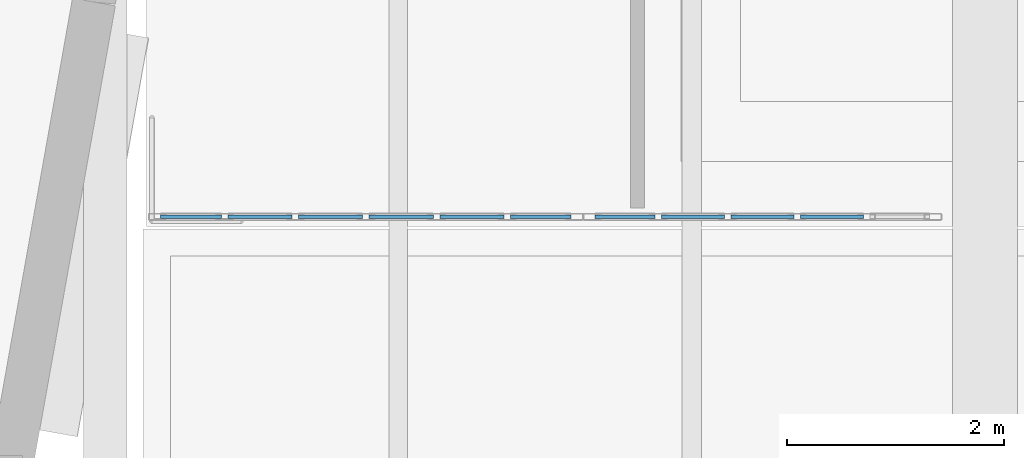
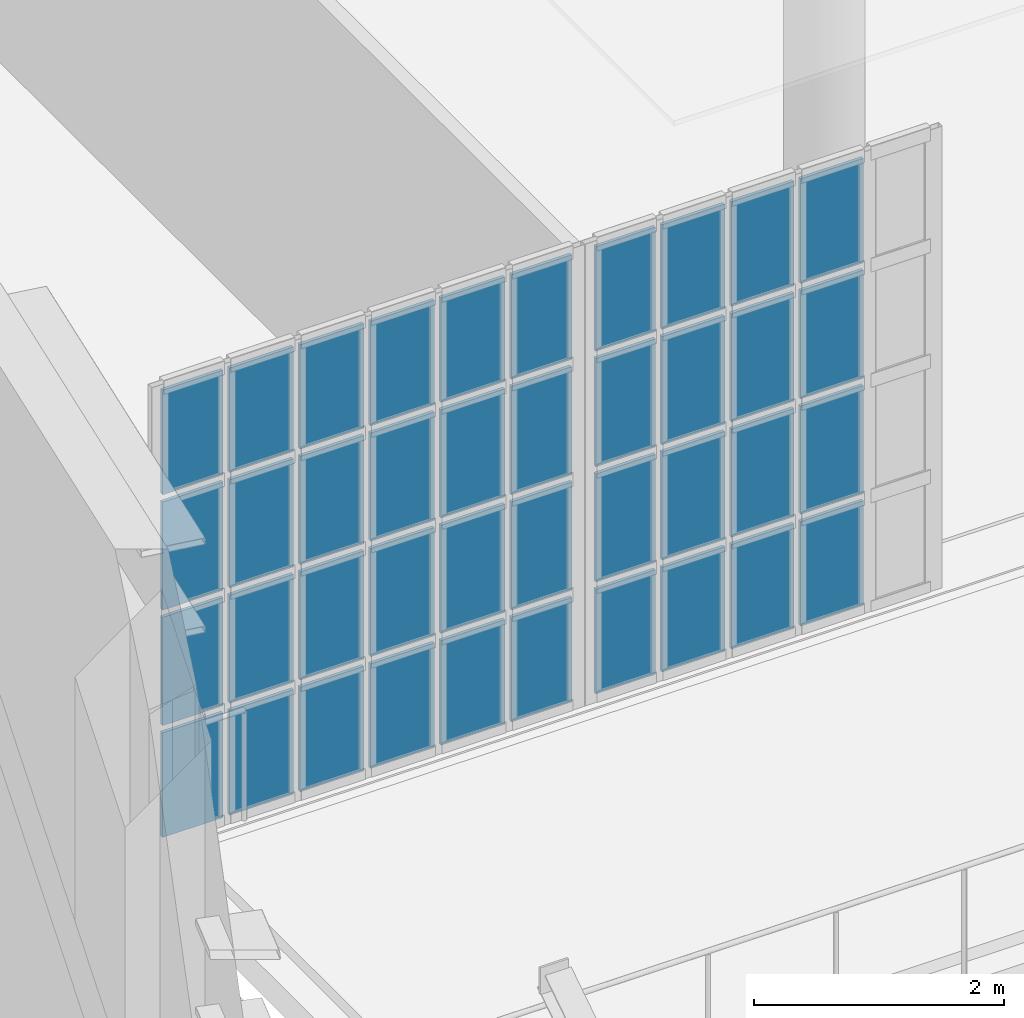
# One storey, part 68 of 104: 40 plates, 2 elements without a shape of their own.
"""IFC4 building model written with IfcOpenShell, lengths in metres."""

from ifc_helpers import new_model, si_unit, direction, frame, origin, origin_2d, place, context, subcontext, project, spatial, rectangle, extrude, material, layer, layer_set, type_object, element, aggregate, save


model = new_model("IFC4")

# Units and contexts
model_context = context("Model", 3, precision=1e-05, world=origin(), true_north=direction((0.0, 1.0)))
body_context = subcontext(model_context, "Body", "Model", "MODEL_VIEW")
ifc_project = project(units=[si_unit("LENGTHUNIT", "METRE"), si_unit("AREAUNIT", "SQUARE_METRE"), si_unit("VOLUMEUNIT", "CUBIC_METRE"), si_unit("PLANEANGLEUNIT", "RADIAN"), si_unit("MASSUNIT", "GRAM", prefix="KILO")], contexts=[model_context])

# Site, building, storey
site_placement = place(None, origin())
site = spatial("IfcSite", under=ifc_project, at=site_placement, CompositionType="ELEMENT")
building_placement = place(site_placement, origin())
building = spatial("IfcBuilding", under=site, at=building_placement, Name="Kaelora Sail Theatre", CompositionType="ELEMENT")
storey_placement = place(building_placement, frame((0.0, 0.0, 5.39990234375)))
storey = spatial("IfcBuildingStorey", under=building, at=storey_placement, Name="L01", CompositionType="ELEMENT", Elevation=5.39990234375)

# Curtain wall, plates
ifc_material_1 = material(Name="Anodised aluminium and solar-control low-E IGU", Category="aluminium")
curtain_wall_type = type_object("IfcCurtainWallType", Name="ARC-CW-CW-FOY2", PredefinedType="NOTDEFINED", material=ifc_material_1)
curtain_wall_1_placement = place(storey_placement, origin())
curtain_wall_1 = element("IfcCurtainWall", 1, at=curtain_wall_1_placement, inside=storey, type_object=curtain_wall_type, Name="West Interstitial Sail Foyer Curtain Wall L01-01", PredefinedType="NOTDEFINED")
ifc_material_2 = material(Name="Solar-control laminated low-E glass", Category="glass")
ifc_layer = layer(ifc_material_2, 0.031982421875)
ifc_layer_set = layer_set([ifc_layer], Name="Solar-control laminated low-E glass")
plate_type = type_object("IfcPlateType", Name="ARC-CW-PNL", PredefinedType="CURTAIN_PANEL", material=ifc_layer_set)
plate_1_placement = place(storey_placement, frame((58.989990234375, 43.590087890625, 0.0703125), z_axis=(0.0, 0.0, 1.0), x_axis=(1.0, 0.0, 0.0)))
plate_1 = element("IfcPlate", 2, at=plate_1_placement, type_object=plate_type, Name="CW-FOY2 panel 1.1", PredefinedType="CURTAIN_PANEL", context=body_context, shape_type="SweptSolid", body=[
    extrude(rectangle(XDim=0.56005859375, YDim=0.031982421875, at=origin_2d()), origin(), (0.0, 0.0, 1.0), 1.021240234375),
])
plate_2_placement = place(storey_placement, frame((58.989990234375, 43.590087890625, 1.161376953125), z_axis=(0.0, 0.0, 1.0), x_axis=(1.0, 0.0, 0.0)))
plate_2 = element("IfcPlate", 3, at=plate_2_placement, type_object=plate_type, Name="CW-FOY2 panel 1.2", PredefinedType="CURTAIN_PANEL", context=body_context, shape_type="SweptSolid", body=[
    extrude(rectangle(XDim=0.56005859375, YDim=0.031982421875, at=origin_2d()), origin(), (0.0, 0.0, 1.0), 1.05615234375),
])
plate_3_placement = place(storey_placement, frame((58.989990234375, 43.590087890625, 2.28759765625), z_axis=(0.0, 0.0, 1.0), x_axis=(1.0, 0.0, 0.0)))
plate_3 = element("IfcPlate", 4, at=plate_3_placement, type_object=plate_type, Name="CW-FOY2 panel 1.3", PredefinedType="CURTAIN_PANEL", context=body_context, shape_type="SweptSolid", body=[
    extrude(rectangle(XDim=0.56005859375, YDim=0.031982421875, at=origin_2d()), origin(), (0.0, 0.0, 1.0), 1.056396484375),
])
plate_4_placement = place(storey_placement, frame((58.989990234375, 43.590087890625, 3.4140625), z_axis=(0.0, 0.0, 1.0), x_axis=(1.0, 0.0, 0.0)))
plate_4 = element("IfcPlate", 5, at=plate_4_placement, type_object=plate_type, Name="CW-FOY2 panel 1.4", PredefinedType="CURTAIN_PANEL", context=body_context, shape_type="SweptSolid", body=[
    extrude(rectangle(XDim=0.56005859375, YDim=0.031982421875, at=origin_2d()), origin(), (0.0, 0.0, 1.0), 1.021240234375),
])
plate_5_placement = place(storey_placement, frame((59.625, 43.590087890625, 0.0703125), z_axis=(0.0, 0.0, 1.0), x_axis=(1.0, 0.0, 0.0)))
plate_5 = element("IfcPlate", 6, at=plate_5_placement, type_object=plate_type, Name="CW-FOY2 panel 2.1", PredefinedType="CURTAIN_PANEL", context=body_context, shape_type="SweptSolid", body=[
    extrude(rectangle(XDim=0.590087890625, YDim=0.031982421875, at=origin_2d()), origin(), (0.0, 0.0, 1.0), 1.021240234375),
])
plate_6_placement = place(storey_placement, frame((59.625, 43.590087890625, 1.161376953125), z_axis=(0.0, 0.0, 1.0), x_axis=(1.0, 0.0, 0.0)))
plate_6 = element("IfcPlate", 7, at=plate_6_placement, type_object=plate_type, Name="CW-FOY2 panel 2.2", PredefinedType="CURTAIN_PANEL", context=body_context, shape_type="SweptSolid", body=[
    extrude(rectangle(XDim=0.590087890625, YDim=0.031982421875, at=origin_2d()), origin(), (0.0, 0.0, 1.0), 1.05615234375),
])
plate_7_placement = place(storey_placement, frame((59.625, 43.590087890625, 2.28759765625), z_axis=(0.0, 0.0, 1.0), x_axis=(1.0, 0.0, 0.0)))
plate_7 = element("IfcPlate", 8, at=plate_7_placement, type_object=plate_type, Name="CW-FOY2 panel 2.3", PredefinedType="CURTAIN_PANEL", context=body_context, shape_type="SweptSolid", body=[
    extrude(rectangle(XDim=0.590087890625, YDim=0.031982421875, at=origin_2d()), origin(), (0.0, 0.0, 1.0), 1.056396484375),
])
plate_8_placement = place(storey_placement, frame((59.625, 43.590087890625, 3.4140625), z_axis=(0.0, 0.0, 1.0), x_axis=(1.0, 0.0, 0.0)))
plate_8 = element("IfcPlate", 9, at=plate_8_placement, type_object=plate_type, Name="CW-FOY2 panel 2.4", PredefinedType="CURTAIN_PANEL", context=body_context, shape_type="SweptSolid", body=[
    extrude(rectangle(XDim=0.590087890625, YDim=0.031982421875, at=origin_2d()), origin(), (0.0, 0.0, 1.0), 1.021240234375),
])
plate_9_placement = place(storey_placement, frame((60.27490234375, 43.590087890625, 0.0703125), z_axis=(0.0, 0.0, 1.0), x_axis=(1.0, 0.0, 0.0)))
plate_9 = element("IfcPlate", 10, at=plate_9_placement, type_object=plate_type, Name="CW-FOY2 panel 3.1", PredefinedType="CURTAIN_PANEL", context=body_context, shape_type="SweptSolid", body=[
    extrude(rectangle(XDim=0.590087890625, YDim=0.031982421875, at=origin_2d()), origin(), (0.0, 0.0, 1.0), 1.021240234375),
])
plate_10_placement = place(storey_placement, frame((60.27490234375, 43.590087890625, 1.161376953125), z_axis=(0.0, 0.0, 1.0), x_axis=(1.0, 0.0, 0.0)))
plate_10 = element("IfcPlate", 11, at=plate_10_placement, type_object=plate_type, Name="CW-FOY2 panel 3.2", PredefinedType="CURTAIN_PANEL", context=body_context, shape_type="SweptSolid", body=[
    extrude(rectangle(XDim=0.590087890625, YDim=0.031982421875, at=origin_2d()), origin(), (0.0, 0.0, 1.0), 1.05615234375),
])
plate_11_placement = place(storey_placement, frame((60.27490234375, 43.590087890625, 2.28759765625), z_axis=(0.0, 0.0, 1.0), x_axis=(1.0, 0.0, 0.0)))
plate_11 = element("IfcPlate", 12, at=plate_11_placement, type_object=plate_type, Name="CW-FOY2 panel 3.3", PredefinedType="CURTAIN_PANEL", context=body_context, shape_type="SweptSolid", body=[
    extrude(rectangle(XDim=0.590087890625, YDim=0.031982421875, at=origin_2d()), origin(), (0.0, 0.0, 1.0), 1.056396484375),
])
plate_12_placement = place(storey_placement, frame((60.27490234375, 43.590087890625, 3.4140625), z_axis=(0.0, 0.0, 1.0), x_axis=(1.0, 0.0, 0.0)))
plate_12 = element("IfcPlate", 13, at=plate_12_placement, type_object=plate_type, Name="CW-FOY2 panel 3.4", PredefinedType="CURTAIN_PANEL", context=body_context, shape_type="SweptSolid", body=[
    extrude(rectangle(XDim=0.590087890625, YDim=0.031982421875, at=origin_2d()), origin(), (0.0, 0.0, 1.0), 1.021240234375),
])
plate_13_placement = place(storey_placement, frame((60.925048828125, 43.590087890625, 0.0703125), z_axis=(0.0, 0.0, 1.0), x_axis=(1.0, 0.0, 0.0)))
plate_13 = element("IfcPlate", 14, at=plate_13_placement, type_object=plate_type, Name="CW-FOY2 panel 4.1", PredefinedType="CURTAIN_PANEL", context=body_context, shape_type="SweptSolid", body=[
    extrude(rectangle(XDim=0.590087890625, YDim=0.031982421875, at=origin_2d()), origin(), (0.0, 0.0, 1.0), 1.021240234375),
])
plate_14_placement = place(storey_placement, frame((60.925048828125, 43.590087890625, 1.161376953125), z_axis=(0.0, 0.0, 1.0), x_axis=(1.0, 0.0, 0.0)))
plate_14 = element("IfcPlate", 15, at=plate_14_placement, type_object=plate_type, Name="CW-FOY2 panel 4.2", PredefinedType="CURTAIN_PANEL", context=body_context, shape_type="SweptSolid", body=[
    extrude(rectangle(XDim=0.590087890625, YDim=0.031982421875, at=origin_2d()), origin(), (0.0, 0.0, 1.0), 1.05615234375),
])
plate_15_placement = place(storey_placement, frame((60.925048828125, 43.590087890625, 2.28759765625), z_axis=(0.0, 0.0, 1.0), x_axis=(1.0, 0.0, 0.0)))
plate_15 = element("IfcPlate", 16, at=plate_15_placement, type_object=plate_type, Name="CW-FOY2 panel 4.3", PredefinedType="CURTAIN_PANEL", context=body_context, shape_type="SweptSolid", body=[
    extrude(rectangle(XDim=0.590087890625, YDim=0.031982421875, at=origin_2d()), origin(), (0.0, 0.0, 1.0), 1.056396484375),
])
plate_16_placement = place(storey_placement, frame((60.925048828125, 43.590087890625, 3.4140625), z_axis=(0.0, 0.0, 1.0), x_axis=(1.0, 0.0, 0.0)))
plate_16 = element("IfcPlate", 17, at=plate_16_placement, type_object=plate_type, Name="CW-FOY2 panel 4.4", PredefinedType="CURTAIN_PANEL", context=body_context, shape_type="SweptSolid", body=[
    extrude(rectangle(XDim=0.590087890625, YDim=0.031982421875, at=origin_2d()), origin(), (0.0, 0.0, 1.0), 1.021240234375),
])
plate_17_placement = place(storey_placement, frame((61.574951171875, 43.590087890625, 0.0703125), z_axis=(0.0, 0.0, 1.0), x_axis=(1.0, 0.0, 0.0)))
plate_17 = element("IfcPlate", 18, at=plate_17_placement, type_object=plate_type, Name="CW-FOY2 panel 5.1", PredefinedType="CURTAIN_PANEL", context=body_context, shape_type="SweptSolid", body=[
    extrude(rectangle(XDim=0.590087890625, YDim=0.031982421875, at=origin_2d()), origin(), (0.0, 0.0, 1.0), 1.021240234375),
])
plate_18_placement = place(storey_placement, frame((61.574951171875, 43.590087890625, 1.161376953125), z_axis=(0.0, 0.0, 1.0), x_axis=(1.0, 0.0, 0.0)))
plate_18 = element("IfcPlate", 19, at=plate_18_placement, type_object=plate_type, Name="CW-FOY2 panel 5.2", PredefinedType="CURTAIN_PANEL", context=body_context, shape_type="SweptSolid", body=[
    extrude(rectangle(XDim=0.590087890625, YDim=0.031982421875, at=origin_2d()), origin(), (0.0, 0.0, 1.0), 1.05615234375),
])
plate_19_placement = place(storey_placement, frame((61.574951171875, 43.590087890625, 2.28759765625), z_axis=(0.0, 0.0, 1.0), x_axis=(1.0, 0.0, 0.0)))
plate_19 = element("IfcPlate", 20, at=plate_19_placement, type_object=plate_type, Name="CW-FOY2 panel 5.3", PredefinedType="CURTAIN_PANEL", context=body_context, shape_type="SweptSolid", body=[
    extrude(rectangle(XDim=0.590087890625, YDim=0.031982421875, at=origin_2d()), origin(), (0.0, 0.0, 1.0), 1.056396484375),
])
plate_20_placement = place(storey_placement, frame((61.574951171875, 43.590087890625, 3.4140625), z_axis=(0.0, 0.0, 1.0), x_axis=(1.0, 0.0, 0.0)))
plate_20 = element("IfcPlate", 21, at=plate_20_placement, type_object=plate_type, Name="CW-FOY2 panel 5.4", PredefinedType="CURTAIN_PANEL", context=body_context, shape_type="SweptSolid", body=[
    extrude(rectangle(XDim=0.590087890625, YDim=0.031982421875, at=origin_2d()), origin(), (0.0, 0.0, 1.0), 1.021240234375),
])
plate_21_placement = place(storey_placement, frame((62.2099609375, 43.590087890625, 0.0703125), z_axis=(0.0, 0.0, 1.0), x_axis=(1.0, 0.0, 0.0)))
plate_21 = element("IfcPlate", 22, at=plate_21_placement, type_object=plate_type, Name="CW-FOY2 panel 6.1", PredefinedType="CURTAIN_PANEL", context=body_context, shape_type="SweptSolid", body=[
    extrude(rectangle(XDim=0.56005859375, YDim=0.031982421875, at=origin_2d()), origin(), (0.0, 0.0, 1.0), 1.021240234375),
])
plate_22_placement = place(storey_placement, frame((62.2099609375, 43.590087890625, 1.161376953125), z_axis=(0.0, 0.0, 1.0), x_axis=(1.0, 0.0, 0.0)))
plate_22 = element("IfcPlate", 23, at=plate_22_placement, type_object=plate_type, Name="CW-FOY2 panel 6.2", PredefinedType="CURTAIN_PANEL", context=body_context, shape_type="SweptSolid", body=[
    extrude(rectangle(XDim=0.56005859375, YDim=0.031982421875, at=origin_2d()), origin(), (0.0, 0.0, 1.0), 1.05615234375),
])
plate_23_placement = place(storey_placement, frame((62.2099609375, 43.590087890625, 2.28759765625), z_axis=(0.0, 0.0, 1.0), x_axis=(1.0, 0.0, 0.0)))
plate_23 = element("IfcPlate", 24, at=plate_23_placement, type_object=plate_type, Name="CW-FOY2 panel 6.3", PredefinedType="CURTAIN_PANEL", context=body_context, shape_type="SweptSolid", body=[
    extrude(rectangle(XDim=0.56005859375, YDim=0.031982421875, at=origin_2d()), origin(), (0.0, 0.0, 1.0), 1.056396484375),
])
plate_24_placement = place(storey_placement, frame((62.2099609375, 43.590087890625, 3.4140625), z_axis=(0.0, 0.0, 1.0), x_axis=(1.0, 0.0, 0.0)))
plate_24 = element("IfcPlate", 25, at=plate_24_placement, type_object=plate_type, Name="CW-FOY2 panel 6.4", PredefinedType="CURTAIN_PANEL", context=body_context, shape_type="SweptSolid", body=[
    extrude(rectangle(XDim=0.56005859375, YDim=0.031982421875, at=origin_2d()), origin(), (0.0, 0.0, 1.0), 1.021240234375),
])
aggregate(curtain_wall_1, [plate_1, plate_2, plate_3, plate_4, plate_5, plate_6, plate_7, plate_8, plate_9, plate_10, plate_11, plate_12, plate_13, plate_14, plate_15, plate_16, plate_17, plate_18, plate_19, plate_20, plate_21, plate_22, plate_23, plate_24])

curtain_wall_2_placement = place(storey_placement, origin())
curtain_wall_2 = element("IfcCurtainWall", 26, at=curtain_wall_2_placement, inside=storey, type_object=curtain_wall_type, Name="West Interstitial Sail Foyer Curtain Wall L01-02", PredefinedType="NOTDEFINED")
plate_25_placement = place(storey_placement, frame((62.985107421875, 43.590087890625, 0.0703125), z_axis=(0.0, 0.0, 1.0), x_axis=(1.0, 0.0, 0.0)))
plate_25 = element("IfcPlate", 27, at=plate_25_placement, type_object=plate_type, Name="CW-FOY2 panel 1.1", PredefinedType="CURTAIN_PANEL", context=body_context, shape_type="SweptSolid", body=[
    extrude(rectangle(XDim=0.550048828125, YDim=0.031982421875, at=origin_2d()), origin(), (0.0, 0.0, 1.0), 1.021240234375),
])
plate_26_placement = place(storey_placement, frame((62.985107421875, 43.590087890625, 1.161376953125), z_axis=(0.0, 0.0, 1.0), x_axis=(1.0, 0.0, 0.0)))
plate_26 = element("IfcPlate", 28, at=plate_26_placement, type_object=plate_type, Name="CW-FOY2 panel 1.2", PredefinedType="CURTAIN_PANEL", context=body_context, shape_type="SweptSolid", body=[
    extrude(rectangle(XDim=0.550048828125, YDim=0.031982421875, at=origin_2d()), origin(), (0.0, 0.0, 1.0), 1.05615234375),
])
plate_27_placement = place(storey_placement, frame((62.985107421875, 43.590087890625, 2.28759765625), z_axis=(0.0, 0.0, 1.0), x_axis=(1.0, 0.0, 0.0)))
plate_27 = element("IfcPlate", 29, at=plate_27_placement, type_object=plate_type, Name="CW-FOY2 panel 1.3", PredefinedType="CURTAIN_PANEL", context=body_context, shape_type="SweptSolid", body=[
    extrude(rectangle(XDim=0.550048828125, YDim=0.031982421875, at=origin_2d()), origin(), (0.0, 0.0, 1.0), 1.056396484375),
])
plate_28_placement = place(storey_placement, frame((62.985107421875, 43.590087890625, 3.4140625), z_axis=(0.0, 0.0, 1.0), x_axis=(1.0, 0.0, 0.0)))
plate_28 = element("IfcPlate", 30, at=plate_28_placement, type_object=plate_type, Name="CW-FOY2 panel 1.4", PredefinedType="CURTAIN_PANEL", context=body_context, shape_type="SweptSolid", body=[
    extrude(rectangle(XDim=0.550048828125, YDim=0.031982421875, at=origin_2d()), origin(), (0.0, 0.0, 1.0), 1.021240234375),
])
plate_29_placement = place(storey_placement, frame((63.610107421875, 43.590087890625, 0.0703125), z_axis=(0.0, 0.0, 1.0), x_axis=(1.0, 0.0, 0.0)))
plate_29 = element("IfcPlate", 31, at=plate_29_placement, type_object=plate_type, Name="CW-FOY2 panel 2.1", PredefinedType="CURTAIN_PANEL", context=body_context, shape_type="SweptSolid", body=[
    extrude(rectangle(XDim=0.580078125, YDim=0.031982421875, at=origin_2d()), origin(), (0.0, 0.0, 1.0), 1.021240234375),
])
plate_30_placement = place(storey_placement, frame((63.610107421875, 43.590087890625, 1.161376953125), z_axis=(0.0, 0.0, 1.0), x_axis=(1.0, 0.0, 0.0)))
plate_30 = element("IfcPlate", 32, at=plate_30_placement, type_object=plate_type, Name="CW-FOY2 panel 2.2", PredefinedType="CURTAIN_PANEL", context=body_context, shape_type="SweptSolid", body=[
    extrude(rectangle(XDim=0.580078125, YDim=0.031982421875, at=origin_2d()), origin(), (0.0, 0.0, 1.0), 1.05615234375),
])
plate_31_placement = place(storey_placement, frame((63.610107421875, 43.590087890625, 2.28759765625), z_axis=(0.0, 0.0, 1.0), x_axis=(1.0, 0.0, 0.0)))
plate_31 = element("IfcPlate", 33, at=plate_31_placement, type_object=plate_type, Name="CW-FOY2 panel 2.3", PredefinedType="CURTAIN_PANEL", context=body_context, shape_type="SweptSolid", body=[
    extrude(rectangle(XDim=0.580078125, YDim=0.031982421875, at=origin_2d()), origin(), (0.0, 0.0, 1.0), 1.056396484375),
])
plate_32_placement = place(storey_placement, frame((63.610107421875, 43.590087890625, 3.4140625), z_axis=(0.0, 0.0, 1.0), x_axis=(1.0, 0.0, 0.0)))
plate_32 = element("IfcPlate", 34, at=plate_32_placement, type_object=plate_type, Name="CW-FOY2 panel 2.4", PredefinedType="CURTAIN_PANEL", context=body_context, shape_type="SweptSolid", body=[
    extrude(rectangle(XDim=0.580078125, YDim=0.031982421875, at=origin_2d()), origin(), (0.0, 0.0, 1.0), 1.021240234375),
])
plate_33_placement = place(storey_placement, frame((64.25, 43.590087890625, 0.0703125), z_axis=(0.0, 0.0, 1.0), x_axis=(1.0, 0.0, 0.0)))
plate_33 = element("IfcPlate", 35, at=plate_33_placement, type_object=plate_type, Name="CW-FOY2 panel 3.1", PredefinedType="CURTAIN_PANEL", context=body_context, shape_type="SweptSolid", body=[
    extrude(rectangle(XDim=0.580078125, YDim=0.031982421875, at=origin_2d()), origin(), (0.0, 0.0, 1.0), 1.021240234375),
])
plate_34_placement = place(storey_placement, frame((64.25, 43.590087890625, 1.161376953125), z_axis=(0.0, 0.0, 1.0), x_axis=(1.0, 0.0, 0.0)))
plate_34 = element("IfcPlate", 36, at=plate_34_placement, type_object=plate_type, Name="CW-FOY2 panel 3.2", PredefinedType="CURTAIN_PANEL", context=body_context, shape_type="SweptSolid", body=[
    extrude(rectangle(XDim=0.580078125, YDim=0.031982421875, at=origin_2d()), origin(), (0.0, 0.0, 1.0), 1.05615234375),
])
plate_35_placement = place(storey_placement, frame((64.25, 43.590087890625, 2.28759765625), z_axis=(0.0, 0.0, 1.0), x_axis=(1.0, 0.0, 0.0)))
plate_35 = element("IfcPlate", 37, at=plate_35_placement, type_object=plate_type, Name="CW-FOY2 panel 3.3", PredefinedType="CURTAIN_PANEL", context=body_context, shape_type="SweptSolid", body=[
    extrude(rectangle(XDim=0.580078125, YDim=0.031982421875, at=origin_2d()), origin(), (0.0, 0.0, 1.0), 1.056396484375),
])
plate_36_placement = place(storey_placement, frame((64.25, 43.590087890625, 3.4140625), z_axis=(0.0, 0.0, 1.0), x_axis=(1.0, 0.0, 0.0)))
plate_36 = element("IfcPlate", 38, at=plate_36_placement, type_object=plate_type, Name="CW-FOY2 panel 3.4", PredefinedType="CURTAIN_PANEL", context=body_context, shape_type="SweptSolid", body=[
    extrude(rectangle(XDim=0.580078125, YDim=0.031982421875, at=origin_2d()), origin(), (0.0, 0.0, 1.0), 1.021240234375),
])
plate_37_placement = place(storey_placement, frame((64.889892578125, 43.590087890625, 0.0703125), z_axis=(0.0, 0.0, 1.0), x_axis=(1.0, 0.0, 0.0)))
plate_37 = element("IfcPlate", 39, at=plate_37_placement, type_object=plate_type, Name="CW-FOY2 panel 4.1", PredefinedType="CURTAIN_PANEL", context=body_context, shape_type="SweptSolid", body=[
    extrude(rectangle(XDim=0.580078125, YDim=0.031982421875, at=origin_2d()), origin(), (0.0, 0.0, 1.0), 1.021240234375),
])
plate_38_placement = place(storey_placement, frame((64.889892578125, 43.590087890625, 1.161376953125), z_axis=(0.0, 0.0, 1.0), x_axis=(1.0, 0.0, 0.0)))
plate_38 = element("IfcPlate", 40, at=plate_38_placement, type_object=plate_type, Name="CW-FOY2 panel 4.2", PredefinedType="CURTAIN_PANEL", context=body_context, shape_type="SweptSolid", body=[
    extrude(rectangle(XDim=0.580078125, YDim=0.031982421875, at=origin_2d()), origin(), (0.0, 0.0, 1.0), 1.05615234375),
])
plate_39_placement = place(storey_placement, frame((64.889892578125, 43.590087890625, 2.28759765625), z_axis=(0.0, 0.0, 1.0), x_axis=(1.0, 0.0, 0.0)))
plate_39 = element("IfcPlate", 41, at=plate_39_placement, type_object=plate_type, Name="CW-FOY2 panel 4.3", PredefinedType="CURTAIN_PANEL", context=body_context, shape_type="SweptSolid", body=[
    extrude(rectangle(XDim=0.580078125, YDim=0.031982421875, at=origin_2d()), origin(), (0.0, 0.0, 1.0), 1.056396484375),
])
plate_40_placement = place(storey_placement, frame((64.889892578125, 43.590087890625, 3.4140625), z_axis=(0.0, 0.0, 1.0), x_axis=(1.0, 0.0, 0.0)))
plate_40 = element("IfcPlate", 42, at=plate_40_placement, type_object=plate_type, Name="CW-FOY2 panel 4.4", PredefinedType="CURTAIN_PANEL", context=body_context, shape_type="SweptSolid", body=[
    extrude(rectangle(XDim=0.580078125, YDim=0.031982421875, at=origin_2d()), origin(), (0.0, 0.0, 1.0), 1.021240234375),
])
aggregate(curtain_wall_2, [plate_25, plate_26, plate_27, plate_28, plate_29, plate_30, plate_31, plate_32, plate_33, plate_34, plate_35, plate_36, plate_37, plate_38, plate_39, plate_40])

save(model, "model.ifc")
